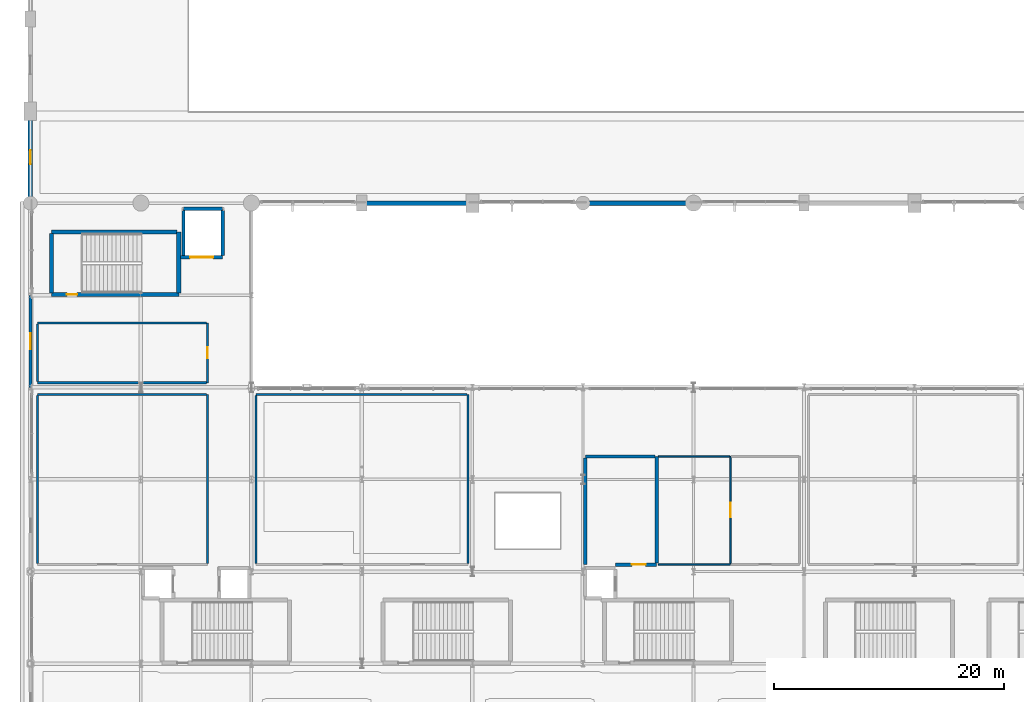
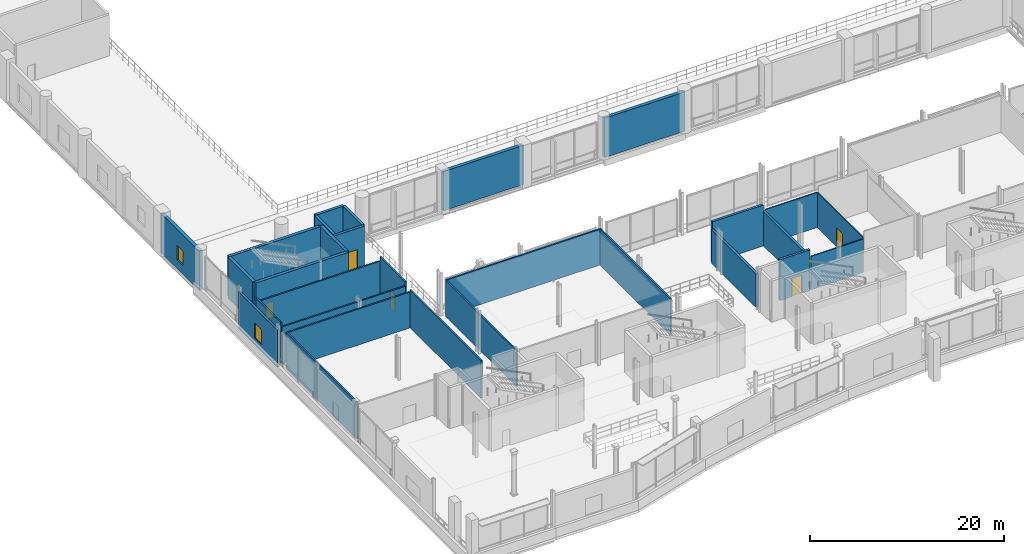
# One storey, part 76 of 129: 29 walls, 5 doors, 2 windows, 7 openings.
"""IFC4 building model written with IfcOpenShell, lengths in metres."""

from ifc_helpers import new_model, si_unit, direction, frame, frame_2d, origin, place, context, subcontext, project, spatial, rectangle, extrude, material, layer, layer_set, type_object, element, fill, save


model = new_model("IFC4")

# Units and contexts
model_context = context("Model", 3, precision=1e-05, world=origin(), true_north=direction((0.0, 1.0)))
body_context = subcontext(model_context, "Body", "Model", "MODEL_VIEW")
ifc_project = project(units=[si_unit("LENGTHUNIT", "METRE"), si_unit("AREAUNIT", "SQUARE_METRE"), si_unit("VOLUMEUNIT", "CUBIC_METRE"), si_unit("PLANEANGLEUNIT", "RADIAN"), si_unit("MASSUNIT", "GRAM", prefix="KILO")], contexts=[model_context])

# Site, building, storey
site_placement = place(None, origin())
site = spatial("IfcSite", under=ifc_project, at=site_placement, CompositionType="ELEMENT")
building_placement = place(site_placement, origin())
building = spatial("IfcBuilding", under=site, at=building_placement, Name="Danafjord Basin Convention Centre", CompositionType="ELEMENT")
storey_placement = place(building_placement, frame((0.0, 0.0, 6.0)))
storey = spatial("IfcBuildingStorey", under=building, at=storey_placement, Name="L01", CompositionType="ELEMENT", Elevation=6.0)

# Wall
ifc_material_1 = material(Name="Concrete C40/50", Category="concrete")
ifc_layer_1 = layer(ifc_material_1, 0.300048828125)
ifc_layer_set_1 = layer_set([ifc_layer_1], Name="Concrete C40/50")
wall_type_1 = type_object("IfcWallType", Name="WALL-CW-CORE300", PredefinedType="SHEAR", material=ifc_layer_set_1)
wall_1_placement = place(storey_placement, frame((16.699951171875, 55.5, 0.0), z_axis=(0.0, 0.0, 1.0), x_axis=(-1.0, 0.0, 0.0)))
element("IfcWall", 1, at=wall_1_placement, inside=storey, type_object=wall_type_1, Name="Lift LF-G01 shaft shear wall", PredefinedType="SHEAR", context=body_context, shape_type="SweptSolid", body=[
    extrude(rectangle(XDim=3.39990234375, YDim=0.300048828125, at=frame_2d((1.699951171875, 0.0))), origin(), (0.0, 0.0, 1.0), 5.169921875),
])

# Wall, opening, door
wall_2_placement = place(storey_placement, frame((13.044921875, 51.300048828125, 0.0), z_axis=(0.0, 0.0, 1.0), x_axis=(1.0, 0.0, 0.0)))
wall_2 = element("IfcWall", 2, at=wall_2_placement, inside=storey, type_object=wall_type_1, Name="Lift LF-G01 shaft shear wall", PredefinedType="SHEAR", context=body_context, shape_type="SweptSolid", body=[
    extrude(rectangle(XDim=3.655029296875, YDim=0.300048828125, at=frame_2d((1.82763671875, 0.0))), origin(), (0.0, 0.0, 1.0), 5.169921875),
])
opening_1_placement = place(wall_2_placement, frame((0.826904296875, 0.0, 0.0)))
opening_1 = element("IfcOpeningElement", 3, at=opening_1_placement, cuts=wall_2, Name="Opening LD-G01", PredefinedType="OPENING", context=body_context, shape_type="SweptSolid", body=[
    extrude(rectangle(XDim=2.0, YDim=2.5, at=frame_2d((1.0, 1.25))), frame((0.0, 0.159912109375, 0.0), z_axis=(0.0, -1.0, 0.0), x_axis=(1.0, 0.0, 0.0)), (0.0, 0.0, 1.0), 0.320068359375),
])
ifc_material_2 = material(Name="Brushed stainless steel and acoustic laminated glass", Category="steel")
door_type_1 = type_object("IfcDoorType", Name="DOOR-LD-G01", OperationType="DOUBLE_DOOR_SLIDING", PredefinedType="DOOR", material=ifc_material_2)
door_1_placement = place(opening_1_placement, origin())
door_1 = element("IfcDoor", 4, at=door_1_placement, inside=storey, type_object=door_type_1, Name="Lift LF-G01 L01 Landing Door", OperationType="DOUBLE_DOOR_SLIDING", OverallHeight=2.5, OverallWidth=2.0, PredefinedType="DOOR", context=body_context, shape_type="SweptSolid", body=[
    extrude(rectangle(XDim=2.0, YDim=2.5, at=frame_2d((1.0, 1.25))), frame((0.0, 0.02490234375, 0.0), z_axis=(0.0, -1.0, 0.0), x_axis=(1.0, 0.0, 0.0)), (0.0, 0.0, 1.0), 0.050048828125),
])
fill(opening_1, door_1)

# Walls
for number, where, z_axis, x_axis, name in (
    (5, (16.699951171875, 51.43505859375, 0.0), (0.0, 0.0, 1.0), (0.0, 1.0, 0.0), "Lift LF-G01 shaft shear wall"),
    (6, (13.300048828125, 55.364990234375, 0.0), (0.0, 0.0, 1.0), (0.0, -1.0, 0.0), "Lift LF-G01 shaft shear wall"),
):
    element("IfcWall", number, at=place(storey_placement, frame(where, z_axis=z_axis, x_axis=x_axis)), inside=storey, type_object=wall_type_1, Name=name, PredefinedType="SHEAR", context=body_context, shape_type="SweptSolid", body=[
        extrude(rectangle(XDim=3.929931640625, YDim=0.300048828125, at=frame_2d((1.96484375, 0.0))), origin(), (0.0, 0.0, 1.0), 5.169921875),
    ])

# Wall, opening, door
ifc_material_3 = material(Name="Concrete C45/55", Category="concrete")
ifc_layer_2 = layer(ifc_material_3, 0.35009765625)
ifc_layer_set_2 = layer_set([ifc_layer_2], Name="Concrete C45/55")
wall_type_2 = type_object("IfcWallType", Name="WALL-CW-CORE350", PredefinedType="SHEAR", material=ifc_layer_set_2)
wall_3_placement = place(storey_placement, frame((1.85009765625, 48.050048828125, 0.0), z_axis=(0.0, 0.0, 1.0), x_axis=(1.0, 0.0, 0.0)))
wall_3 = element("IfcWall", 7, at=wall_3_placement, inside=storey, type_object=wall_type_2, Name="West Exhibition Core Stair 1 core shear wall (south)", PredefinedType="SHEAR", context=body_context, shape_type="SweptSolid", body=[
    extrude(rectangle(XDim=11.039794921875, YDim=0.35009765625, at=frame_2d((5.52001953125, 0.0))), origin(), (0.0, 0.0, 1.0), 5.169921875),
])
opening_2_placement = place(wall_3_placement, frame((1.31201171875, 0.0, 0.0)))
opening_2 = element("IfcOpeningElement", 8, at=opening_2_placement, cuts=wall_3, Name="Opening FD-S01", PredefinedType="OPENING", context=body_context, shape_type="SweptSolid", body=[
    extrude(rectangle(XDim=0.909912109375, YDim=2.080078125, at=frame_2d((0.455078125, 1.0400390625))), frame((0.0, 0.18505859375, 0.0), z_axis=(0.0, -1.0, 0.0), x_axis=(1.0, 0.0, 0.0)), (0.0, 0.0, 1.0), 0.3701171875),
])
ifc_material_4 = material(Name="Powder-coated steel and Nordic oak", Category="steel")
door_type_2 = type_object("IfcDoorType", Name="DOOR-FD-S01", OperationType="NOTDEFINED", PredefinedType="DOOR", material=ifc_material_4)
door_2_placement = place(opening_2_placement, origin())
door_2 = element("IfcDoor", 9, at=door_2_placement, inside=storey, type_object=door_type_2, Name="West Exhibition Core Stair 1 L01 Fire Exit Door", OperationType="SINGLE_SWING_LEFT", OverallHeight=2.080078125, OverallWidth=0.909912109375, PredefinedType="DOOR", context=body_context, shape_type="SweptSolid", body=[
    extrude(rectangle(XDim=0.909912109375, YDim=2.080078125, at=frame_2d((0.455078125, 1.0400390625))), frame((0.0, 0.02490234375, 0.0), z_axis=(0.0, -1.0, 0.0), x_axis=(1.0, 0.0, 0.0)), (0.0, 0.0, 1.0), 0.050048828125),
])
fill(opening_2, door_2)

# Walls
wall_4_placement = place(storey_placement, frame((12.889892578125, 48.2099609375, 0.0), z_axis=(0.0, 0.0, 1.0), x_axis=(0.0, 1.0, 0.0)))
element("IfcWall", 10, at=wall_4_placement, inside=storey, type_object=wall_type_2, Name="West Exhibition Core Stair 1 core shear wall (east)", PredefinedType="SHEAR", context=body_context, shape_type="SweptSolid", body=[
    extrude(rectangle(XDim=5.300048828125, YDim=0.35009765625, at=frame_2d((2.64990234375, 0.0))), origin(), (0.0, 0.0, 1.0), 5.169921875),
])
wall_5_placement = place(storey_placement, frame((12.72998046875, 53.510009765625, 0.0), z_axis=(0.0, 0.0, 1.0), x_axis=(-1.0, 0.0, 0.0)))
element("IfcWall", 11, at=wall_5_placement, inside=storey, type_object=wall_type_2, Name="West Exhibition Core Stair 1 core shear wall (north)", PredefinedType="SHEAR", context=body_context, shape_type="SweptSolid", body=[
    extrude(rectangle(XDim=10.8798828125, YDim=0.35009765625, at=frame_2d((5.43994140625, 0.0))), origin(), (0.0, 0.0, 1.0), 5.169921875),
])
wall_6_placement = place(storey_placement, frame((1.85009765625, 53.35009765625, 0.0), z_axis=(0.0, 0.0, 1.0), x_axis=(0.0, -1.0, 0.0)))
element("IfcWall", 12, at=wall_6_placement, inside=storey, type_object=wall_type_2, Name="West Exhibition Core Stair 1 core shear wall (west)", PredefinedType="SHEAR", context=body_context, shape_type="SweptSolid", body=[
    extrude(rectangle(XDim=5.14013671875, YDim=0.35009765625, at=frame_2d((2.570068359375, 0.0))), origin(), (0.0, 0.0, 1.0), 5.169921875),
])
ifc_material_5 = material(Name="Precast concrete C45/55", Category="concrete")
ifc_layer_3 = layer(ifc_material_5, 0.3798828125)
ifc_layer_set_3 = layer_set([ifc_layer_3], Name="Precast concrete C45/55")
wall_type_3 = type_object("IfcWallType", Name="WALL-EW-PC380", PredefinedType="SOLIDWALL", material=ifc_layer_set_3)
wall_7_placement = place(storey_placement, frame((28.800048828125, 56.0, 0.0), z_axis=(0.0, 0.0, 1.0), x_axis=(1.0, 0.0, 0.0)))
element("IfcWall", 13, at=wall_7_placement, inside=storey, type_object=wall_type_3, Name="Exhibition hall S upper acoustic precast wall", PredefinedType="SOLIDWALL", context=body_context, shape_type="SweptSolid", body=[
    extrude(rectangle(XDim=9.599853515625, YDim=0.3798828125, at=frame_2d((4.7998046875, 0.0))), origin(), (0.0, 0.0, 1.0), 4.949951171875),
])
wall_8_placement = place(storey_placement, frame((48.0, 56.0, 0.0), z_axis=(0.0, 0.0, 1.0), x_axis=(1.0, 0.0, 0.0)))
element("IfcWall", 14, at=wall_8_placement, inside=storey, type_object=wall_type_3, Name="Exhibition hall S upper acoustic precast wall", PredefinedType="SOLIDWALL", context=body_context, shape_type="SweptSolid", body=[
    extrude(rectangle(XDim=9.60009765625, YDim=0.3798828125, at=frame_2d((4.800048828125, 0.0))), origin(), (0.0, 0.0, 1.0), 4.949951171875),
])

# Wall, opening, window
wall_9_placement = place(storey_placement, frame((0.0, 56.0, 0.0), z_axis=(0.0, 0.0, 1.0), x_axis=(0.0, 1.0, 0.0)))
wall_9 = element("IfcWall", 15, at=wall_9_placement, inside=storey, type_object=wall_type_3, Name="Exhibition hall W upper precast wall", PredefinedType="SOLIDWALL", context=body_context, shape_type="SweptSolid", body=[
    extrude(rectangle(XDim=8.0, YDim=0.3798828125, at=frame_2d((4.0, 0.0))), origin(), (0.0, 0.0, 1.0), 4.949951171875),
])
opening_3_placement = place(wall_9_placement, frame((3.39990234375, 0.0, 1.10009765625)))
opening_3 = element("IfcOpeningElement", 16, at=opening_3_placement, cuts=wall_9, Name="Opening WN-01", PredefinedType="OPENING", context=body_context, shape_type="SweptSolid", body=[
    extrude(rectangle(XDim=1.199951171875, YDim=1.800048828125, at=frame_2d((0.60009765625, 0.89990234375))), frame((0.0, 0.199951171875, 0.0), z_axis=(0.0, -1.0, 0.0), x_axis=(1.0, 0.0, 0.0)), (0.0, 0.0, 1.0), 0.39990234375),
])
ifc_material_6 = material(Name="Thermally broken aluminium and triple low-E glass", Category="aluminium")
window_type_1 = type_object("IfcWindowType", Name="WIN-WN-01", PartitioningType="SINGLE_PANEL", PredefinedType="WINDOW", material=ifc_material_6)
window_1_placement = place(opening_3_placement, origin())
window_1 = element("IfcWindow", 17, at=window_1_placement, inside=storey, type_object=window_type_1, Name="L01 hall window WN-01", OverallHeight=1.800048828125, OverallWidth=1.199951171875, PartitioningType="SINGLE_PANEL", PredefinedType="WINDOW", context=body_context, shape_type="SweptSolid", body=[
    extrude(rectangle(XDim=1.199951171875, YDim=1.800048828125, at=frame_2d((0.60009765625, 0.89990234375))), frame((0.0, 0.030029296875, 0.0), z_axis=(0.0, -1.0, 0.0), x_axis=(1.0, 0.0, 0.0)), (0.0, 0.0, 1.0), 0.06005859375),
])
fill(opening_3, window_1)

ifc_material_7 = material(Name="Concrete C35/45", Category="concrete")
ifc_layer_4 = layer(ifc_material_7, 0.260009765625)
ifc_layer_set_4 = layer_set([ifc_layer_4], Name="Concrete C35/45")
wall_type_4 = type_object("IfcWallType", Name="WALL-EW-STD260", PredefinedType="STANDARD", material=ifc_layer_set_4)
wall_10_placement = place(storey_placement, frame((0.0, 40.0, 0.0), z_axis=(0.0, 0.0, 1.0), x_axis=(0.0, 1.0, 0.0)))
wall_10 = element("IfcWall", 18, at=wall_10_placement, inside=storey, type_object=wall_type_4, Name="L01 W wing facade wall", PredefinedType="STANDARD", context=body_context, shape_type="SweptSolid", body=[
    extrude(rectangle(XDim=8.0, YDim=0.260009765625, at=frame_2d((4.0, 0.0))), origin(), (0.0, 0.0, 1.0), 4.68994140625),
])
opening_4_placement = place(wall_10_placement, frame((3.300048828125, 0.0, 0.89990234375)))
opening_4 = element("IfcOpeningElement", 19, at=opening_4_placement, cuts=wall_10, Name="Opening WN-02", PredefinedType="OPENING", context=body_context, shape_type="SweptSolid", body=[
    extrude(rectangle(XDim=1.39990234375, YDim=1.89990234375, at=frame_2d((0.699951171875, 0.949951171875))), frame((0.0, 0.139892578125, 0.0), z_axis=(0.0, -1.0, 0.0), x_axis=(1.0, 0.0, 0.0)), (0.0, 0.0, 1.0), 0.280029296875),
])
window_type_2 = type_object("IfcWindowType", Name="WIN-WN-02", PartitioningType="SINGLE_PANEL", PredefinedType="WINDOW", material=ifc_material_6)
window_2_placement = place(opening_4_placement, origin())
window_2 = element("IfcWindow", 20, at=window_2_placement, inside=storey, type_object=window_type_2, Name="L01 W window WN-02", OverallHeight=1.89990234375, OverallWidth=1.39990234375, PartitioningType="SINGLE_PANEL", PredefinedType="WINDOW", context=body_context, shape_type="SweptSolid", body=[
    extrude(rectangle(XDim=1.39990234375, YDim=1.89990234375, at=frame_2d((0.699951171875, 0.949951171875))), frame((0.0, 0.030029296875, 0.0), z_axis=(0.0, -1.0, 0.0), x_axis=(1.0, 0.0, 0.0)), (0.0, 0.0, 1.0), 0.06005859375),
])
fill(opening_4, window_2)

# Walls
ifc_material_8 = material(Name="Acoustic double-board gypsum stud partition")
ifc_layer_5 = layer(ifc_material_8, 0.175048828125)
ifc_layer_set_5 = layer_set([ifc_layer_5], Name="Acoustic double-board gypsum stud partition")
wall_type_5 = type_object("IfcWallType", Name="WALL-PT-AC175", PredefinedType="PARTITIONING", material=ifc_layer_set_5)
wall_11_placement = place(storey_placement, frame((15.39990234375, 24.69140625, 0.0), z_axis=(0.0, 0.0, 1.0), x_axis=(0.0, 1.0, 0.0)))
element("IfcWall", 21, at=wall_11_placement, inside=storey, type_object=wall_type_5, Name="Breakout Seminar Room M101 east partition", PredefinedType="PARTITIONING", context=body_context, shape_type="SweptSolid", body=[
    extrude(rectangle(XDim=14.70849609375, YDim=0.175048828125, at=frame_2d((7.354248046875, 0.0))), origin(), (0.0, 0.0, 1.0), 4.72998046875),
])
wall_12_placement = place(storey_placement, frame((15.30859375, 39.39990234375, 0.0), z_axis=(0.0, 0.0, 1.0), x_axis=(-1.0, 0.0, 0.0)))
element("IfcWall", 22, at=wall_12_placement, inside=storey, type_object=wall_type_5, Name="Breakout Seminar Room M101 north partition", PredefinedType="PARTITIONING", context=body_context, shape_type="SweptSolid", body=[
    extrude(rectangle(XDim=14.70849609375, YDim=0.175048828125, at=frame_2d((7.354248046875, 0.0))), origin(), (0.0, 0.0, 1.0), 4.52001953125),
])
wall_13_placement = place(storey_placement, frame((0.60009765625, 39.30859375, 0.0), z_axis=(0.0, 0.0, 1.0), x_axis=(0.0, -1.0, 0.0)))
element("IfcWall", 23, at=wall_13_placement, inside=storey, type_object=wall_type_5, Name="Breakout Seminar Room M101 west partition", PredefinedType="PARTITIONING", context=body_context, shape_type="SweptSolid", body=[
    extrude(rectangle(XDim=14.6171875, YDim=0.175048828125, at=frame_2d((7.30859375, 0.0))), origin(), (0.0, 0.0, 1.0), 4.6298828125),
])
wall_14_placement = place(storey_placement, frame((38.0, 24.69140625, 0.0), z_axis=(0.0, 0.0, 1.0), x_axis=(0.0, 1.0, 0.0)))
element("IfcWall", 24, at=wall_14_placement, inside=storey, type_object=wall_type_5, Name="Breakout Seminar Room M102 east partition", PredefinedType="PARTITIONING", context=body_context, shape_type="SweptSolid", body=[
    extrude(rectangle(XDim=14.70849609375, YDim=0.175048828125, at=frame_2d((7.354248046875, 0.0))), origin(), (0.0, 0.0, 1.0), 4.570068359375),
])
wall_15_placement = place(storey_placement, frame((37.908447265625, 39.39990234375, 0.0), z_axis=(0.0, 0.0, 1.0), x_axis=(-1.0, 0.0, 0.0)))
element("IfcWall", 25, at=wall_15_placement, inside=storey, type_object=wall_type_5, Name="Breakout Seminar Room M102 north partition", PredefinedType="PARTITIONING", context=body_context, shape_type="SweptSolid", body=[
    extrude(rectangle(XDim=18.308349609375, YDim=0.175048828125, at=frame_2d((9.154296875, 0.0))), origin(), (0.0, 0.0, 1.0), 4.52001953125),
])
wall_16_placement = place(storey_placement, frame((19.60009765625, 39.30859375, 0.0), z_axis=(0.0, 0.0, 1.0), x_axis=(0.0, -1.0, 0.0)))
element("IfcWall", 26, at=wall_16_placement, inside=storey, type_object=wall_type_5, Name="Breakout Seminar Room M102 west partition", PredefinedType="PARTITIONING", context=body_context, shape_type="SweptSolid", body=[
    extrude(rectangle(XDim=14.6171875, YDim=0.175048828125, at=frame_2d((7.30859375, 0.0))), origin(), (0.0, 0.0, 1.0), 4.52001953125),
])

# Wall, opening, door
wall_17_placement = place(storey_placement, frame((15.39990234375, 40.39990234375, 0.0), z_axis=(0.0, 0.0, 1.0), x_axis=(0.0, 1.0, 0.0)))
wall_17 = element("IfcWall", 27, at=wall_17_placement, inside=storey, type_object=wall_type_5, Name="West Courtyard Seminar Room M105 east partition", PredefinedType="PARTITIONING", context=body_context, shape_type="SweptSolid", body=[
    extrude(rectangle(XDim=5.2001953125, YDim=0.175048828125, at=frame_2d((2.60009765625, 0.0))), origin(), (0.0, 0.0, 1.0), 5.169921875),
])
opening_5_placement = place(wall_17_placement, frame((2.125, 0.0, 0.0)))
opening_5 = element("IfcOpeningElement", 28, at=opening_5_placement, cuts=wall_17, Name="Opening FD-S10", PredefinedType="OPENING", context=body_context, shape_type="SweptSolid", body=[
    extrude(rectangle(XDim=0.949951171875, YDim=2.179931640625, at=frame_2d((0.47509765625, 1.08984375))), frame((0.0, 0.097412109375, 0.0), z_axis=(0.0, -1.0, 0.0), x_axis=(1.0, 0.0, 0.0)), (0.0, 0.0, 1.0), 0.195068359375),
])
door_type_3 = type_object("IfcDoorType", Name="DOOR-FD-S10", OperationType="NOTDEFINED", PredefinedType="DOOR", material=ifc_material_4)
door_3_placement = place(opening_5_placement, origin())
door_3 = element("IfcDoor", 29, at=door_3_placement, inside=storey, type_object=door_type_3, Name="West Courtyard Seminar Room M105 Entrance Door", OperationType="SINGLE_SWING_LEFT", OverallHeight=2.179931640625, OverallWidth=0.949951171875, PredefinedType="DOOR", context=body_context, shape_type="SweptSolid", body=[
    extrude(rectangle(XDim=0.949951171875, YDim=2.179931640625, at=frame_2d((0.47509765625, 1.08984375))), frame((0.0, 0.02490234375, 0.0), z_axis=(0.0, -1.0, 0.0), x_axis=(1.0, 0.0, 0.0)), (0.0, 0.0, 1.0), 0.050048828125),
])
fill(opening_5, door_3)

# Walls
for number, where, z_axis, x_axis, name in (
    (30, (0.60009765625, 40.39990234375, 0.0), (0.0, 0.0, 1.0), (1.0, 0.0, 0.0), "West Courtyard Seminar Room M105 south partition"),
    (31, (15.30859375, 45.60009765625, 0.0), (0.0, 0.0, 1.0), (-1.0, 0.0, 0.0), "West Courtyard Seminar Room M105 north partition"),
):
    element("IfcWall", number, at=place(storey_placement, frame(where, z_axis=z_axis, x_axis=x_axis)), inside=storey, type_object=wall_type_5, Name=name, PredefinedType="PARTITIONING", context=body_context, shape_type="SweptSolid", body=[
        extrude(rectangle(XDim=14.70849609375, YDim=0.175048828125, at=frame_2d((7.354248046875, 0.0))), origin(), (0.0, 0.0, 1.0), 4.639892578125),
    ])
wall_18_placement = place(storey_placement, frame((0.60009765625, 45.508544921875, 0.0), z_axis=(0.0, 0.0, 1.0), x_axis=(0.0, -1.0, 0.0)))
element("IfcWall", 32, at=wall_18_placement, inside=storey, type_object=wall_type_5, Name="West Courtyard Seminar Room M105 west partition", PredefinedType="PARTITIONING", context=body_context, shape_type="SweptSolid", body=[
    extrude(rectangle(XDim=5.01708984375, YDim=0.175048828125, at=frame_2d((2.508544921875, 0.0))), origin(), (0.0, 0.0, 1.0), 5.169921875),
])

# Wall, opening, door
ifc_material_9 = material(Name="Sanitary service-chase stud wall")
ifc_layer_6 = layer(ifc_material_9, 0.284912109375)
ifc_layer_set_6 = layer_set([ifc_layer_6], Name="Sanitary service-chase stud wall")
wall_type_6 = type_object("IfcWallType", Name="WALL-PT-PLB285", PredefinedType="PLUMBINGWALL", material=ifc_layer_set_6)
wall_19_placement = place(storey_placement, frame((50.80810546875, 24.60009765625, 0.0), z_axis=(0.0, 0.0, 1.0), x_axis=(1.0, 0.0, 0.0)))
wall_19 = element("IfcWall", 33, at=wall_19_placement, inside=storey, type_object=wall_type_6, Name="Level 1 Delegate Male Toilet south partition", PredefinedType="PLUMBINGWALL", context=body_context, shape_type="SweptSolid", body=[
    extrude(rectangle(XDim=3.591796875, YDim=0.284912109375, at=frame_2d((1.7958984375, 0.0))), origin(), (0.0, 0.0, 1.0), 5.14990234375),
])
opening_6_placement = place(wall_19_placement, frame((1.44091796875, 0.0, 0.0)))
opening_6 = element("IfcOpeningElement", 34, at=opening_6_placement, cuts=wall_19, Name="Opening FD-S18", PredefinedType="OPENING", context=body_context, shape_type="SweptSolid", body=[
    extrude(rectangle(XDim=1.18994140625, YDim=2.340087890625, at=frame_2d((0.594970703125, 1.169921875))), frame((0.0, 0.15234375, 0.0), z_axis=(0.0, -1.0, 0.0), x_axis=(1.0, 0.0, 0.0)), (0.0, 0.0, 1.0), 0.304931640625),
])
door_type_4 = type_object("IfcDoorType", Name="DOOR-FD-S18", OperationType="NOTDEFINED", PredefinedType="DOOR", material=ifc_material_4)
door_4_placement = place(opening_6_placement, origin())
door_4 = element("IfcDoor", 35, at=door_4_placement, inside=storey, type_object=door_type_4, Name="Level 1 Delegate Male Toilet Entrance Door", OperationType="SINGLE_SWING_LEFT", OverallHeight=2.340087890625, OverallWidth=1.18994140625, PredefinedType="DOOR", context=body_context, shape_type="SweptSolid", body=[
    extrude(rectangle(XDim=1.18994140625, YDim=2.340087890625, at=frame_2d((0.594970703125, 1.169921875))), frame((0.0, 0.02490234375, 0.0), z_axis=(0.0, -1.0, 0.0), x_axis=(1.0, 0.0, 0.0)), (0.0, 0.0, 1.0), 0.050048828125),
])
fill(opening_6, door_4)

# Walls
wall_20_placement = place(storey_placement, frame((54.39990234375, 24.74658203125, 0.0), z_axis=(0.0, 0.0, 1.0), x_axis=(0.0, 1.0, 0.0)))
element("IfcWall", 36, at=wall_20_placement, inside=storey, type_object=wall_type_6, Name="Level 1 Delegate Male Toilet east partition", PredefinedType="PLUMBINGWALL", context=body_context, shape_type="SweptSolid", body=[
    extrude(rectangle(XDim=9.25341796875, YDim=0.284912109375, at=frame_2d((4.626708984375, 0.0))), origin(), (0.0, 0.0, 1.0), 4.320068359375),
])
wall_21_placement = place(storey_placement, frame((54.25341796875, 34.0, 0.0), z_axis=(0.0, 0.0, 1.0), x_axis=(-1.0, 0.0, 0.0)))
element("IfcWall", 37, at=wall_21_placement, inside=storey, type_object=wall_type_6, Name="Level 1 Delegate Male Toilet north partition", PredefinedType="PLUMBINGWALL", context=body_context, shape_type="SweptSolid", body=[
    extrude(rectangle(XDim=6.053466796875, YDim=0.284912109375, at=frame_2d((3.02685546875, 0.0))), origin(), (0.0, 0.0, 1.0), 5.14990234375),
])
wall_22_placement = place(storey_placement, frame((48.199951171875, 33.853515625, 0.0), z_axis=(0.0, 0.0, 1.0), x_axis=(0.0, -1.0, 0.0)))
element("IfcWall", 38, at=wall_22_placement, inside=storey, type_object=wall_type_6, Name="Level 1 Delegate Male Toilet west partition", PredefinedType="PLUMBINGWALL", context=body_context, shape_type="SweptSolid", body=[
    extrude(rectangle(XDim=9.25341796875, YDim=0.284912109375, at=frame_2d((4.626708984375, 0.0))), origin(), (0.0, 0.0, 1.0), 4.219970703125),
])
ifc_material_10 = material(Name="Moisture-resistant gypsum stud partition")
ifc_layer_7 = layer(ifc_material_10, 0.1201171875)
ifc_layer_set_7 = layer_set([ifc_layer_7], Name="Moisture-resistant gypsum stud partition")
wall_type_7 = type_object("IfcWallType", Name="WALL-PT-ST120", PredefinedType="PARTITIONING", material=ifc_layer_set_7)
wall_23_placement = place(storey_placement, frame((54.54638671875, 24.60009765625, 0.0), z_axis=(0.0, 0.0, 1.0), x_axis=(1.0, 0.0, 0.0)))
element("IfcWall", 39, at=wall_23_placement, inside=storey, type_object=wall_type_7, Name="Level 1 Delegate Female Toilet south partition", PredefinedType="PARTITIONING", context=body_context, shape_type="SweptSolid", body=[
    extrude(rectangle(XDim=6.253662109375, YDim=0.1201171875, at=frame_2d((3.126953125, 0.0))), origin(), (0.0, 0.0, 1.0), 4.219970703125),
])

# Wall, opening, door
wall_24_placement = place(storey_placement, frame((60.800048828125, 24.6640625, 0.0), z_axis=(0.0, 0.0, 1.0), x_axis=(0.0, 1.0, 0.0)))
wall_24 = element("IfcWall", 40, at=wall_24_placement, inside=storey, type_object=wall_type_7, Name="Level 1 Delegate Female Toilet east partition", PredefinedType="PARTITIONING", context=body_context, shape_type="SweptSolid", body=[
    extrude(rectangle(XDim=9.3359375, YDim=0.1201171875, at=frame_2d((4.66796875, 0.0))), origin(), (0.0, 0.0, 1.0), 4.419921875),
])
opening_7_placement = place(wall_24_placement, frame((4.04296875, 0.0, 0.0)))
opening_7 = element("IfcOpeningElement", 41, at=opening_7_placement, cuts=wall_24, Name="Opening FD-S20", PredefinedType="OPENING", context=body_context, shape_type="SweptSolid", body=[
    extrude(rectangle(XDim=1.25, YDim=2.3798828125, at=frame_2d((0.625, 1.18994140625))), frame((0.0, 0.070068359375, 0.0), z_axis=(0.0, -1.0, 0.0), x_axis=(1.0, 0.0, 0.0)), (0.0, 0.0, 1.0), 0.14013671875),
])
door_type_5 = type_object("IfcDoorType", Name="DOOR-FD-S20", OperationType="NOTDEFINED", PredefinedType="DOOR", material=ifc_material_4)
door_5_placement = place(opening_7_placement, origin())
door_5 = element("IfcDoor", 42, at=door_5_placement, inside=storey, type_object=door_type_5, Name="Level 1 Delegate Female Toilet Entrance Door", OperationType="SINGLE_SWING_RIGHT", OverallHeight=2.3798828125, OverallWidth=1.25, PredefinedType="DOOR", context=body_context, shape_type="SweptSolid", body=[
    extrude(rectangle(XDim=1.25, YDim=2.3798828125, at=frame_2d((0.625, 1.18994140625))), frame((0.0, 0.02490234375, 0.0), z_axis=(0.0, -1.0, 0.0), x_axis=(1.0, 0.0, 0.0)), (0.0, 0.0, 1.0), 0.050048828125),
])
fill(opening_7, door_5)

# Wall
wall_25_placement = place(storey_placement, frame((60.736083984375, 34.0, 0.0), z_axis=(0.0, 0.0, 1.0), x_axis=(-1.0, 0.0, 0.0)))
element("IfcWall", 43, at=wall_25_placement, inside=storey, type_object=wall_type_7, Name="Level 1 Delegate Female Toilet north partition", PredefinedType="PARTITIONING", context=body_context, shape_type="SweptSolid", body=[
    extrude(rectangle(XDim=6.189697265625, YDim=0.1201171875, at=frame_2d((3.0947265625, 0.0))), origin(), (0.0, 0.0, 1.0), 4.419921875),
])

save(model, "model.ifc")
